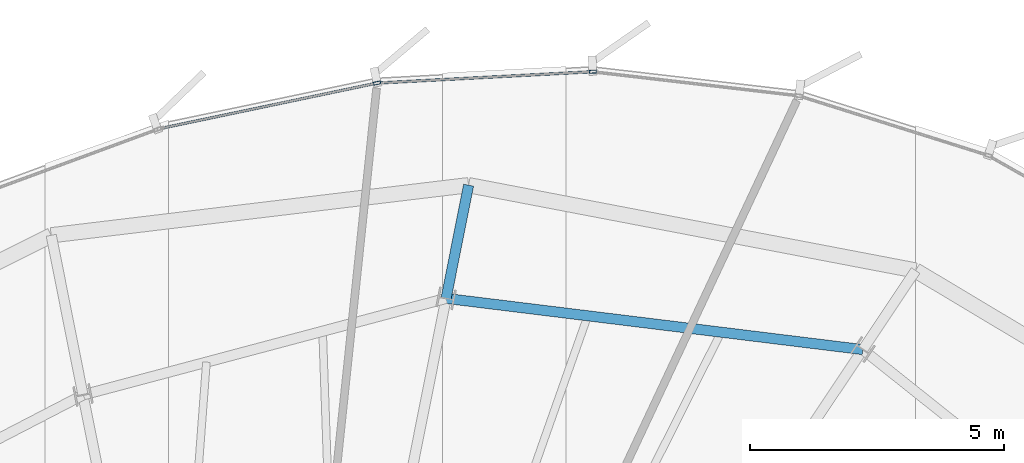
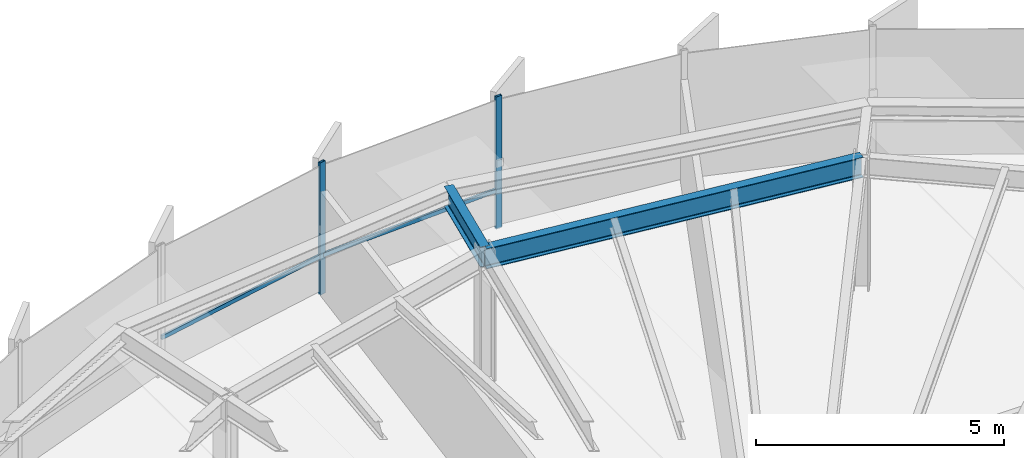
# One storey, part 25 of 36: 4 members, 2 beams, 1 element without a shape of its own.
"""IFC4 building model written with IfcOpenShell, lengths in metres."""

from ifc_helpers import new_model, si_unit, direction, frame, origin, origin_2d, place, context, subcontext, project, spatial, hollow_rectangle, i_section, extrude, source, transform, mapped, material, layer, layer_set, material_profile, profile_set, type_object, element, aggregate, save


model = new_model("IFC4")

# Units and contexts
model_context = context("Model", 3, precision=1e-05, world=origin(), true_north=direction((0.0, 1.0)))
body_context = subcontext(model_context, "Body", "Model", "MODEL_VIEW")
ifc_project = project(units=[si_unit("LENGTHUNIT", "METRE"), si_unit("AREAUNIT", "SQUARE_METRE"), si_unit("VOLUMEUNIT", "CUBIC_METRE"), si_unit("PLANEANGLEUNIT", "RADIAN"), si_unit("MASSUNIT", "GRAM", prefix="KILO"), si_unit("THERMODYNAMICTEMPERATUREUNIT", "KELVIN")], contexts=[model_context])

# Site, building, storey
site_placement = place(None, origin())
site = spatial("IfcSite", under=ifc_project, at=site_placement, CompositionType="ELEMENT")
building_placement = place(site_placement, origin())
building = spatial("IfcBuilding", under=site, at=building_placement, Name="Kethvar Cultural Tower", CompositionType="ELEMENT")
storey_placement = place(building_placement, frame((0.0, 0.0, 197.39990234375)))
storey = spatial("IfcBuildingStorey", under=building, at=storey_placement, Name="L51", CompositionType="ELEMENT", Elevation=197.39990234375)

# Beams
ifc_material_1 = material(Name="Steel S355J2", Category="steel")
ifc_material_profile_1 = material_profile(ifc_material_1, i_section(OverallWidth=0.199951171875, OverallDepth=0.5, WebThickness=0.01025390625, FlangeThickness=0.01611328125, FilletRadius=0.02099609375, at=origin_2d()), Name="Steel S355J2 — IPE500")
ifc_profile_set_1 = profile_set([ifc_material_profile_1], Name="Steel S355J2 — IPE500")
beam_type = type_object("IfcBeamType", Name="BM-IPE500", PredefinedType="BEAM", material=ifc_profile_set_1)
shared_shape_1 = source(origin(), body_context, "Body", "SweptSolid", [
    extrude(i_section(OverallWidth=0.199951171875, OverallDepth=0.5, WebThickness=0.01025390625, FlangeThickness=0.01611328125, FilletRadius=0.02099609375, at=origin_2d()), origin(), (0.0, 0.0, 1.0), 8.252685546875),
])
beam_1_placement = place(storey_placement, frame((58.748046875, 45.681396484375, 3.008056640625), z_axis=(-0.992540943467, 0.121911753093, 0.0), x_axis=(-0.121911753093, -0.992540943467, 0.0)))
element("IfcBeam", 1, at=beam_1_placement, inside=storey, type_object=beam_type, Name="L51 Column Ring Tie Beam CR-03", PredefinedType="BEAM", context=body_context, shape_type="MappedRepresentation", body=[
    mapped(shared_shape_1, transform((0.0, 0.0, 0.0), scale=1.0)),
])
shared_shape_2 = source(origin(), body_context, "Body", "SweptSolid", [
    extrude(i_section(OverallWidth=0.199951171875, OverallDepth=0.5, WebThickness=0.01025390625, FlangeThickness=0.01611328125, FilletRadius=0.02099609375, at=origin_2d()), origin(), (0.0, 0.0, 1.0), 2.269287109375),
])
beam_2_placement = place(storey_placement, frame((50.556884765625, 46.6875, 3.008056640625), z_axis=(0.195060811207, 0.980791150007, 0.0), x_axis=(-0.980791150007, 0.195060811207, 0.0)))
element("IfcBeam", 2, at=beam_2_placement, inside=storey, type_object=beam_type, Name="L51 Perimeter Cantilever Beam RC-04", PredefinedType="BEAM", context=body_context, shape_type="MappedRepresentation", body=[
    mapped(shared_shape_2, transform((0.0, 0.0, 0.0), scale=1.0)),
])

# Curtain wall, members
ifc_material_2 = material(Name="Aluminium 6063-T6", Category="aluminium")
ifc_layer = layer(ifc_material_2, 0.179931640625, Name="Aluminium 6063-T6", Category="aluminium")
ifc_layer_set = layer_set([ifc_layer], Name="Aluminium 6063-T6 (180 mm)")
curtain_wall_type = type_object("IfcCurtainWallType", Name="CW-SYS-04-Z34", PredefinedType="NOTDEFINED", material=ifc_layer_set)
curtain_wall_placement = place(storey_placement, origin())
curtain_wall = element("IfcCurtainWall", 3, at=curtain_wall_placement, inside=storey, type_object=curtain_wall_type, Name="L51 Curtain Wall Run 01", PredefinedType="NOTDEFINED")
ifc_material_profile_2 = material_profile(ifc_material_2, hollow_rectangle(XDim=0.06005859375, YDim=0.139892578125, WallThickness=0.0048828125, at=origin_2d()), Name="Aluminium 6063-T6 — RHS140x60x5")
ifc_profile_set_2 = profile_set([ifc_material_profile_2], Name="Aluminium 6063-T6 — RHS140x60x5")
member_type_1 = type_object("IfcMemberType", Name="CW-SYS-04-Z34-MUL", PredefinedType="MULLION", material=ifc_profile_set_2)
shared_shape_3 = source(origin(), body_context, "Body", "SweptSolid", [
    extrude(hollow_rectangle(XDim=0.06005859375, YDim=0.139892578125, WallThickness=0.0048828125, at=origin_2d()), origin(), (0.0, 0.0, 1.0), 3.260009765625),
])
member_1_placement = place(storey_placement, frame((53.44140625, 51.143310546875, 0.0), z_axis=(0.0, 0.0, 1.0), x_axis=(0.052701969561, -0.998610285549, 0.0)))
member_1 = element("IfcMember", 4, at=member_1_placement, type_object=member_type_1, Name="CW-L51-R01 Mullion 5", PredefinedType="MULLION", context=body_context, shape_type="MappedRepresentation", body=[
    mapped(shared_shape_3, transform((0.0, 0.0, 0.0), scale=1.0)),
])
member_2_placement = place(storey_placement, frame((49.2021484375, 50.920654296875, 0.0), z_axis=(0.0, 0.0, 1.0), x_axis=(0.205333115442, -0.978692143477, 0.0)))
member_2 = element("IfcMember", 5, at=member_2_placement, type_object=member_type_1, Name="CW-L51-R01 Mullion 6", PredefinedType="MULLION", context=body_context, shape_type="MappedRepresentation", body=[
    mapped(shared_shape_3, transform((0.0, 0.0, 0.0), scale=1.0)),
])
ifc_material_profile_3 = material_profile(ifc_material_2, hollow_rectangle(XDim=0.050048828125, YDim=0.10009765625, WallThickness=0.00390625, at=origin_2d()), Name="Aluminium 6063-T6 — RHS100x50x4")
ifc_profile_set_3 = profile_set([ifc_material_profile_3], Name="Aluminium 6063-T6 — RHS100x50x4")
member_type_2 = type_object("IfcMemberType", Name="CW-SYS-04-Z34-TRN", PredefinedType="USERDEFINED", material=ifc_profile_set_3)
shared_shape_4 = source(origin(), body_context, "Body", "SweptSolid", [
    extrude(hollow_rectangle(XDim=0.050048828125, YDim=0.10009765625, WallThickness=0.00390625, at=origin_2d()), origin(), (0.0, 0.0, 1.0), 4.17578125),
])
member_3_placement = place(storey_placement, frame((53.3984375, 51.140869140625, 0.9501953125), z_axis=(-0.998611523261, -0.052678511854, 0.0), x_axis=(0.052678511854, -0.998611523261, 0.0)))
member_3 = element("IfcMember", 6, at=member_3_placement, type_object=member_type_2, Name="CW-L51-R01 Transom 5", ObjectType="TRANSOM", PredefinedType="USERDEFINED", context=body_context, shape_type="MappedRepresentation", body=[
    mapped(shared_shape_4, transform((0.0, 0.0, 0.0), scale=1.0)),
])
shared_shape_5 = source(origin(), body_context, "Body", "SweptSolid", [
    extrude(hollow_rectangle(XDim=0.050048828125, YDim=0.10009765625, WallThickness=0.00390625, at=origin_2d()), origin(), (0.0, 0.0, 1.0), 4.30078125),
])
member_4_placement = place(storey_placement, frame((49.159912109375, 50.911865234375, 0.9501953125), z_axis=(-0.978694693238, -0.205320961977, 0.0), x_axis=(0.205320961977, -0.978694693238, 0.0)))
member_4 = element("IfcMember", 7, at=member_4_placement, type_object=member_type_2, Name="CW-L51-R01 Transom 6", ObjectType="TRANSOM", PredefinedType="USERDEFINED", context=body_context, shape_type="MappedRepresentation", body=[
    mapped(shared_shape_5, transform((0.0, 0.0, 0.0), scale=1.0)),
])
aggregate(curtain_wall, [member_1, member_2, member_3, member_4])

save(model, "model.ifc")
